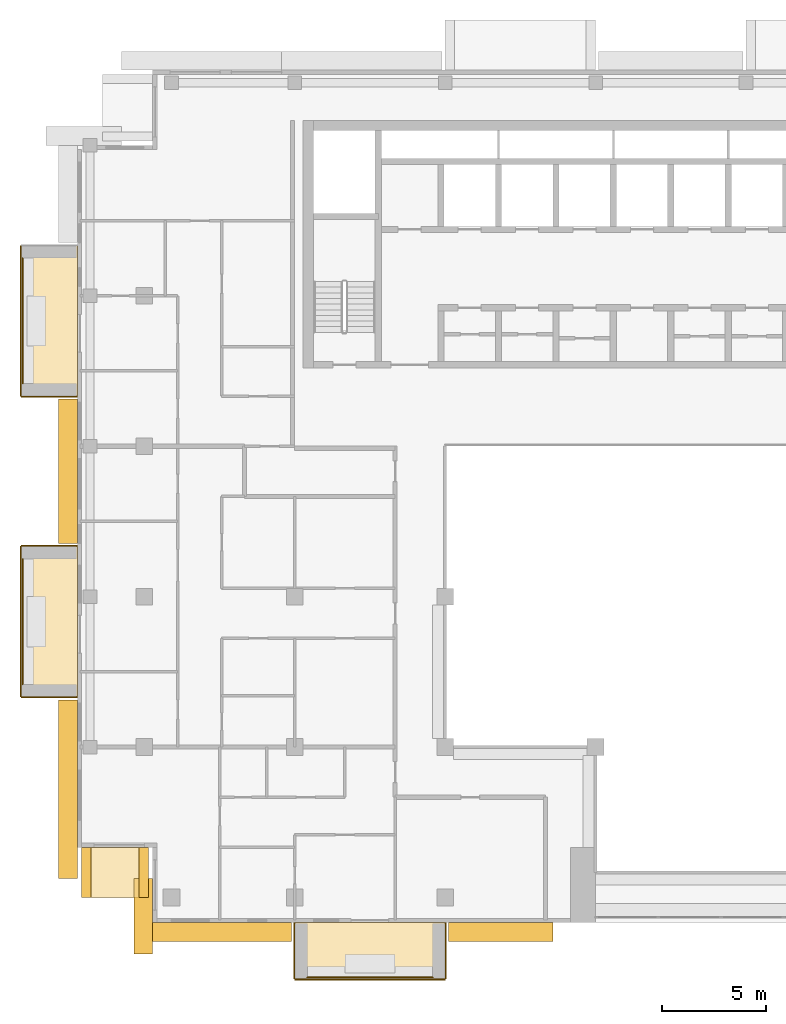
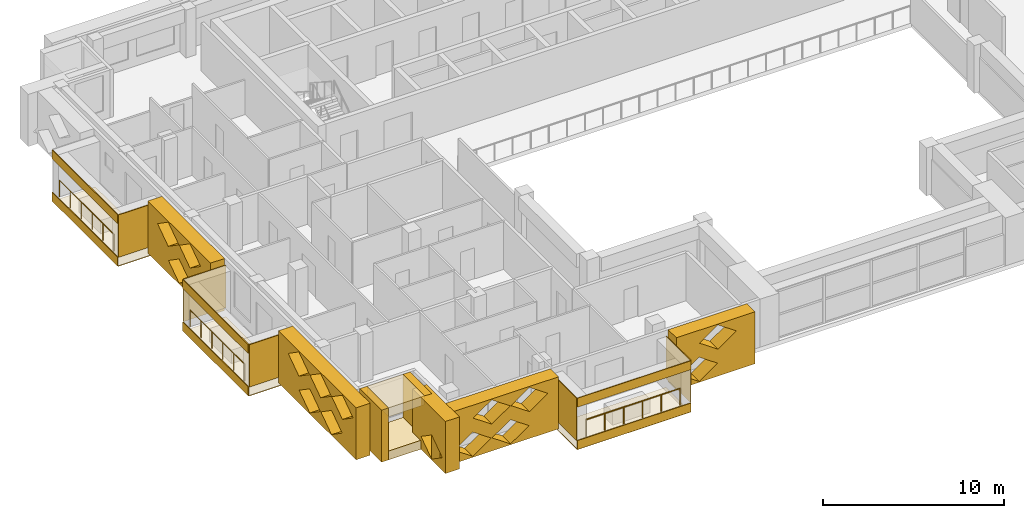
# One storey, part 13 of 19: 23 coverings, 3 railings.
"""IFC4 building model written with IfcOpenShell, lengths in metres."""

from ifc_helpers import new_model, si_unit, direction, frame, origin, origin_2d, place, context, subcontext, project, spatial, polyline, circle, outline, extrude, material, layer, layer_set, type_object, element, save


model = new_model("IFC4")

# Units and contexts
model_context = context("Model", 3, precision=1e-05, world=origin(), true_north=direction((0.0, 1.0)))
body_context = subcontext(model_context, "Body", "Model", "MODEL_VIEW")
ifc_project = project(units=[si_unit("LENGTHUNIT", "METRE"), si_unit("AREAUNIT", "SQUARE_METRE"), si_unit("VOLUMEUNIT", "CUBIC_METRE"), si_unit("PLANEANGLEUNIT", "RADIAN"), si_unit("MASSUNIT", "GRAM", prefix="KILO")], contexts=[model_context])

# Site, building, storey
site_placement = place(None, origin())
site = spatial("IfcSite", under=ifc_project, at=site_placement, CompositionType="ELEMENT")
building_placement = place(site_placement, origin())
building = spatial("IfcBuilding", under=site, at=building_placement, Name="Saffron Iwan Residences", CompositionType="ELEMENT")
storey_placement = place(building_placement, frame((0.0, 0.0, 243.0)))
storey = spatial("IfcBuildingStorey", under=building, at=storey_placement, Name="L65", CompositionType="ELEMENT", Elevation=243.0)

# Railings
ifc_material_1 = material(Name="Stainless steel 316", Category="steel")
railing_type = type_object("IfcRailingType", Name="BALCONY GUARD 1150", PredefinedType="GUARDRAIL", material=ifc_material_1)
for number, where, name in (
    (1, (15.77490234375, 71.39990234375, 0.0), "Balcony guard L65 F8-0"),
    (2, (15.77490234375, 57.0, 0.0), "Balcony guard L65 F8-1"),
):
    element("IfcRailing", number, at=place(storey_placement, frame(where)), inside=storey, type_object=railing_type, Name=name, PredefinedType="GUARDRAIL", context=body_context, shape_type="SweptSolid", body=[
        extrude(circle(Radius=0.02392578125, at=origin_2d()), frame((0.0, 0.0, 1.1259765625), z_axis=(0.0, -1.0, 0.0), x_axis=(1.0, 0.0, 0.0)), (0.0, 0.0, 1.0), 6.0),
        extrude(circle(Radius=0.02099609375, at=origin_2d()), origin(), (0.0, 0.0, 1.0), 1.101806640625),
        extrude(circle(Radius=0.02099609375, at=origin_2d()), frame((0.0, -1.199951171875, 0.0)), (0.0, 0.0, 1.0), 1.101806640625),
        extrude(circle(Radius=0.02099609375, at=origin_2d()), frame((0.0, -2.39990234375, 0.0)), (0.0, 0.0, 1.0), 1.101806640625),
        extrude(circle(Radius=0.02099609375, at=origin_2d()), frame((0.0, -3.60009765625, 0.0)), (0.0, 0.0, 1.0), 1.101806640625),
        extrude(circle(Radius=0.02099609375, at=origin_2d()), frame((0.0, -4.800048828125, 0.0)), (0.0, 0.0, 1.0), 1.101806640625),
        extrude(circle(Radius=0.02099609375, at=origin_2d()), frame((0.0, -6.0, 0.0)), (0.0, 0.0, 1.0), 1.101806640625),
    ])
railing_placement = place(storey_placement, frame((29.39990234375, 36.97509765625, 0.0)))
element("IfcRailing", 3, at=railing_placement, inside=storey, type_object=railing_type, Name="Balcony guard L65 11-0", PredefinedType="GUARDRAIL", context=body_context, shape_type="SweptSolid", body=[
    extrude(circle(Radius=0.02392578125, at=origin_2d()), frame((0.0, 0.0, 1.1259765625), z_axis=(1.0, 0.0, 0.0), x_axis=(0.0, 1.0, 0.0)), (0.0, 0.0, 1.0), 6.0),
    extrude(circle(Radius=0.02099609375, at=origin_2d()), origin(), (0.0, 0.0, 1.0), 1.101806640625),
    extrude(circle(Radius=0.02099609375, at=origin_2d()), frame((1.199951171875, 0.0, 0.0)), (0.0, 0.0, 1.0), 1.101806640625),
    extrude(circle(Radius=0.02099609375, at=origin_2d()), frame((2.39990234375, 0.0, 0.0)), (0.0, 0.0, 1.0), 1.101806640625),
    extrude(circle(Radius=0.02099609375, at=origin_2d()), frame((3.60009765625, 0.0, 0.0)), (0.0, 0.0, 1.0), 1.101806640625),
    extrude(circle(Radius=0.02099609375, at=origin_2d()), frame((4.800048828125, 0.0, 0.0)), (0.0, 0.0, 1.0), 1.101806640625),
    extrude(circle(Radius=0.02099609375, at=origin_2d()), frame((6.0, 0.0, 0.0)), (0.0, 0.0, 1.0), 1.101806640625),
])

# Coverings
ifc_material_2 = material(Name="Precast concrete C40/50 white painted", Category="concrete")
ifc_layer = layer(ifc_material_2, 0.050048828125)
ifc_layer_set = layer_set([ifc_layer], Name="Precast concrete C40/50 white painted")
covering_type_1 = type_object("IfcCoveringType", Name="FRAME SKIN PRECAST WHITE 50", PredefinedType="CLADDING", material=ifc_layer_set)
for number, where, name in (
    (4, (0.0, 0.0, -0.60009765625), "Frame skin slab edge L65 F8-0"),
    (5, (0.0, 0.0, 2.25), "Frame skin fascia L65 F8-0"),
):
    element("IfcCovering", number, at=place(storey_placement, frame(where)), inside=storey, type_object=covering_type_1, Name=name, PredefinedType="CLADDING", context=body_context, shape_type="SweptSolid", body=[
        extrude(outline(polyline([(15.64990234375, 72.0), (15.64990234375, 64.800048828125), (15.699951171875, 64.800048828125), (15.699951171875, 72.0), (15.64990234375, 72.0)])), origin(), (0.0, 0.0, 1.0), 0.60009765625),
    ])
covering_1_placement = place(storey_placement, frame((0.0, 0.0, -0.64990234375)))
element("IfcCovering", 6, at=covering_1_placement, inside=storey, type_object=covering_type_1, Name="Frame skin soffit L65 F8-0", PredefinedType="CLADDING", context=body_context, shape_type="SweptSolid", body=[
    extrude(outline(polyline([(15.699951171875, 72.0), (15.699951171875, 64.800048828125), (18.39990234375, 64.800048828125), (18.39990234375, 72.0), (15.699951171875, 72.0)])), origin(), (0.0, 0.0, 1.0), 0.0498046875),
])
covering_2_placement = place(storey_placement, origin())
element("IfcCovering", 7, at=covering_2_placement, inside=storey, type_object=covering_type_1, Name="Frame skin fin L65 F8-0b", PredefinedType="CLADDING", context=body_context, shape_type="SweptSolid", body=[
    extrude(outline(polyline([(15.699951171875, 64.800048828125), (15.699951171875, 64.75), (18.39990234375, 64.75), (18.39990234375, 64.800048828125), (15.699951171875, 64.800048828125)])), origin(), (0.0, 0.0, 1.0), 2.85009765625),
])
for number, where, name in (
    (8, (0.0, 0.0, -0.60009765625), "Frame skin slab edge L65 F8-1"),
    (9, (0.0, 0.0, 2.25), "Frame skin fascia L65 F8-1"),
):
    element("IfcCovering", number, at=place(storey_placement, frame(where)), inside=storey, type_object=covering_type_1, Name=name, PredefinedType="CLADDING", context=body_context, shape_type="SweptSolid", body=[
        extrude(outline(polyline([(15.64990234375, 57.60009765625), (15.64990234375, 50.39990234375), (15.699951171875, 50.39990234375), (15.699951171875, 57.60009765625), (15.64990234375, 57.60009765625)])), origin(), (0.0, 0.0, 1.0), 0.60009765625),
    ])
covering_3_placement = place(storey_placement, frame((0.0, 0.0, -0.64990234375)))
element("IfcCovering", 10, at=covering_3_placement, inside=storey, type_object=covering_type_1, Name="Frame skin soffit L65 F8-1", PredefinedType="CLADDING", context=body_context, shape_type="SweptSolid", body=[
    extrude(outline(polyline([(15.699951171875, 57.60009765625), (15.699951171875, 50.39990234375), (18.39990234375, 50.39990234375), (18.39990234375, 57.60009765625), (15.699951171875, 57.60009765625)])), origin(), (0.0, 0.0, 1.0), 0.0498046875),
])
covering_4_placement = place(storey_placement, origin())
element("IfcCovering", 11, at=covering_4_placement, inside=storey, type_object=covering_type_1, Name="Frame skin fin L65 F8-1a", PredefinedType="CLADDING", context=body_context, shape_type="SweptSolid", body=[
    extrude(outline(polyline([(15.699951171875, 57.64990234375), (15.699951171875, 57.60009765625), (18.39990234375, 57.60009765625), (18.39990234375, 57.64990234375), (15.699951171875, 57.64990234375)])), origin(), (0.0, 0.0, 1.0), 2.85009765625),
])
covering_5_placement = place(storey_placement, origin())
element("IfcCovering", 12, at=covering_5_placement, inside=storey, type_object=covering_type_1, Name="Frame skin fin L65 F8-1b", PredefinedType="CLADDING", context=body_context, shape_type="SweptSolid", body=[
    extrude(outline(polyline([(15.699951171875, 50.39990234375), (15.699951171875, 50.35009765625), (18.39990234375, 50.35009765625), (18.39990234375, 50.39990234375), (15.699951171875, 50.39990234375)])), origin(), (0.0, 0.0, 1.0), 2.85009765625),
])
for number, where, name in (
    (13, (0.0, 0.0, -0.60009765625), "Frame skin slab edge L65 11-0"),
    (14, (0.0, 0.0, 2.25), "Frame skin fascia L65 11-0"),
):
    element("IfcCovering", number, at=place(storey_placement, frame(where)), inside=storey, type_object=covering_type_1, Name=name, PredefinedType="CLADDING", context=body_context, shape_type="SweptSolid", body=[
        extrude(outline(polyline([(28.800048828125, 36.85009765625), (36.0, 36.85009765625), (36.0, 36.89990234375), (28.800048828125, 36.89990234375), (28.800048828125, 36.85009765625)])), origin(), (0.0, 0.0, 1.0), 0.60009765625),
    ])
covering_6_placement = place(storey_placement, frame((0.0, 0.0, -0.64990234375)))
element("IfcCovering", 15, at=covering_6_placement, inside=storey, type_object=covering_type_1, Name="Frame skin soffit L65 11-0", PredefinedType="CLADDING", context=body_context, shape_type="SweptSolid", body=[
    extrude(outline(polyline([(28.800048828125, 36.89990234375), (36.0, 36.89990234375), (36.0, 39.60009765625), (28.800048828125, 39.60009765625), (28.800048828125, 36.89990234375)])), origin(), (0.0, 0.0, 1.0), 0.0498046875),
])
covering_7_placement = place(storey_placement, origin())
element("IfcCovering", 16, at=covering_7_placement, inside=storey, type_object=covering_type_1, Name="Frame skin fin L65 11-0a", PredefinedType="CLADDING", context=body_context, shape_type="SweptSolid", body=[
    extrude(outline(polyline([(28.75, 36.89990234375), (28.800048828125, 36.89990234375), (28.800048828125, 39.60009765625), (28.75, 39.60009765625), (28.75, 36.89990234375)])), origin(), (0.0, 0.0, 1.0), 2.85009765625),
])
covering_8_placement = place(storey_placement, origin())
element("IfcCovering", 17, at=covering_8_placement, inside=storey, type_object=covering_type_1, Name="Frame skin fin L65 11-0b", PredefinedType="CLADDING", context=body_context, shape_type="SweptSolid", body=[
    extrude(outline(polyline([(36.0, 36.89990234375), (36.050048828125, 36.89990234375), (36.050048828125, 39.60009765625), (36.0, 39.60009765625), (36.0, 36.89990234375)])), origin(), (0.0, 0.0, 1.0), 2.85009765625),
])
ifc_material_3 = material(Name="Precast concrete C40/50", Category="concrete")
covering_type_2 = type_object("IfcCoveringType", Name="OUTER SKIN LATTICE SCREEN", PredefinedType="CLADDING", material=ifc_material_3)
covering_9_placement = place(storey_placement, frame((18.39990234375, 64.64990234375, -0.280029296875), z_axis=(-1.0, 0.0, 0.0), x_axis=(0.0, -1.0, 0.0)))
element("IfcCovering", 18, at=covering_9_placement, inside=storey, type_object=covering_type_2, Name="OUTER SKIN lattice screen L65 F8.1", PredefinedType="CLADDING", context=body_context, shape_type="SweptSolid", body=[
    extrude(outline(polyline([(0.0, 0.0), (6.89990234375, 0.0), (6.89990234375, 3.5), (0.0, 3.5), (0.0, 0.0)]), holes=[polyline([(2.27001953125, 0.875), (3.449951171875, 0.06005859375), (4.6298828125, 0.875), (3.449951171875, 1.68994140625), (2.27001953125, 0.875)]), polyline([(1.070068359375, 2.625), (2.25, 1.81005859375), (3.429931640625, 2.625), (2.25, 3.43994140625), (1.070068359375, 2.625)]), polyline([(3.469970703125, 2.625), (4.64990234375, 1.81005859375), (5.830078125, 2.625), (4.64990234375, 3.43994140625), (3.469970703125, 2.625)])]), origin(), (0.0, 0.0, 1.0), 0.89990234375),
])
covering_10_placement = place(storey_placement, frame((18.39990234375, 50.25, -0.280029296875), z_axis=(-1.0, 0.0, 0.0), x_axis=(0.0, -1.0, 0.0)))
element("IfcCovering", 19, at=covering_10_placement, inside=storey, type_object=covering_type_2, Name="OUTER SKIN lattice screen L65 F8.2", PredefinedType="CLADDING", context=body_context, shape_type="SweptSolid", body=[
    extrude(outline(polyline([(0.0, 0.0), (8.550048828125, 0.0), (8.550048828125, 3.5), (0.0, 3.5), (0.0, 0.0)]), holes=[polyline([(2.27001953125, 0.875), (3.449951171875, 0.06005859375), (4.6298828125, 0.875), (3.449951171875, 1.68994140625), (2.27001953125, 0.875)]), polyline([(4.669921875, 0.875), (5.85009765625, 0.06005859375), (7.030029296875, 0.875), (5.85009765625, 1.68994140625), (4.669921875, 0.875)]), polyline([(1.070068359375, 2.625), (2.25, 1.81005859375), (3.429931640625, 2.625), (2.25, 3.43994140625), (1.070068359375, 2.625)]), polyline([(3.469970703125, 2.625), (4.64990234375, 1.81005859375), (5.830078125, 2.625), (4.64990234375, 3.43994140625), (3.469970703125, 2.625)]), polyline([(5.8701171875, 2.625), (7.050048828125, 1.81005859375), (8.22998046875, 2.625), (7.050048828125, 3.43994140625), (5.8701171875, 2.625)])]), origin(), (0.0, 0.0, 1.0), 0.89990234375),
])
covering_11_placement = place(storey_placement, frame((22.0, 41.699951171875, -0.280029296875), z_axis=(-1.0, 0.0, 0.0), x_axis=(0.0, -1.0, 0.0)))
element("IfcCovering", 20, at=covering_11_placement, inside=storey, type_object=covering_type_2, Name="OUTER SKIN lattice screen L65 F10.0", PredefinedType="CLADDING", context=body_context, shape_type="SweptSolid", body=[
    extrude(outline(polyline([(0.0, 0.0), (3.60009765625, 0.0), (3.60009765625, 3.5), (0.0, 3.5), (0.0, 0.0)]), holes=[polyline([(0.919921875, 0.875), (2.10009765625, 0.06005859375), (3.280029296875, 0.875), (2.10009765625, 1.68994140625), (0.919921875, 0.875)])]), origin(), (0.0, 0.0, 1.0), 0.89990234375),
])
covering_12_placement = place(storey_placement, frame((21.10009765625, 39.60009765625, -0.280029296875), z_axis=(0.0, -1.0, 0.0), x_axis=(1.0, 0.0, 0.0)))
element("IfcCovering", 21, at=covering_12_placement, inside=storey, type_object=covering_type_2, Name="OUTER SKIN lattice screen L65 F11.0", PredefinedType="CLADDING", context=body_context, shape_type="SweptSolid", body=[
    extrude(outline(polyline([(0.0, 0.0), (7.550048828125, 0.0), (7.550048828125, 3.5), (0.0, 3.5), (0.0, 0.0)]), holes=[polyline([(0.919921875, 0.875), (2.10009765625, 0.06005859375), (3.280029296875, 0.875), (2.10009765625, 1.68994140625), (0.919921875, 0.875)]), polyline([(3.320068359375, 0.875), (4.5, 0.06005859375), (5.679931640625, 0.875), (4.5, 1.68994140625), (3.320068359375, 0.875)]), polyline([(2.1201171875, 2.625), (3.300048828125, 1.81005859375), (4.47998046875, 2.625), (3.300048828125, 3.43994140625), (2.1201171875, 2.625)]), polyline([(4.52001953125, 2.625), (5.699951171875, 1.81005859375), (6.8798828125, 2.625), (5.699951171875, 3.43994140625), (4.52001953125, 2.625)])]), origin(), (0.0, 0.0, 1.0), 0.900146484375),
])
covering_13_placement = place(storey_placement, frame((36.14990234375, 39.60009765625, -0.280029296875), z_axis=(0.0, -1.0, 0.0), x_axis=(1.0, 0.0, 0.0)))
element("IfcCovering", 22, at=covering_13_placement, inside=storey, type_object=covering_type_2, Name="OUTER SKIN lattice screen L65 F11.1", PredefinedType="CLADDING", context=body_context, shape_type="SweptSolid", body=[
    extrude(outline(polyline([(0.0, 0.0), (5.0, 0.0), (5.0, 3.5), (0.0, 3.5), (0.0, 0.0)]), holes=[polyline([(0.27001953125, 0.875), (1.449951171875, 0.06005859375), (2.6298828125, 0.875), (1.449951171875, 1.68994140625), (0.27001953125, 0.875)]), polyline([(1.469970703125, 2.625), (2.64990234375, 1.81005859375), (3.830078125, 2.625), (2.64990234375, 3.43994140625), (1.469970703125, 2.625)])]), origin(), (0.0, 0.0, 1.0), 0.900146484375),
])
covering_type_3 = type_object("IfcCoveringType", Name="WHITE SUN FRAME PRECAST", PredefinedType="CLADDING", material=ifc_material_2)
for number, where, z_axis, x_axis, name in (
    (23, (18.60009765625, 43.199951171875, -0.280029296875), (0.0, -1.0, 0.0), (1.0, 0.0, 0.0), "Sun frame L65 F9 0.2a"),
    (24, (21.35009765625, 43.199951171875, -0.280029296875), (0.0, -1.0, 0.0), (1.0, 0.0, 0.0), "Sun frame L65 F9 0.2b"),
):
    element("IfcCovering", number, at=place(storey_placement, frame(where, z_axis=z_axis, x_axis=x_axis)), inside=storey, type_object=covering_type_3, Name=name, PredefinedType="CLADDING", context=body_context, shape_type="SweptSolid", body=[
        extrude(outline(polyline([(0.0, 0.0), (0.449951171875, 0.0), (0.449951171875, 3.5), (0.0, 3.5), (0.0, 0.0)])), origin(), (0.0, 0.0, 1.0), 2.39990234375),
    ])
for number, where, z_axis, x_axis, name in (
    (25, (19.050048828125, 43.199951171875, 2.6201171875), (0.0, -1.0, 0.0), (1.0, 0.0, 0.0), "Sun frame L65 F9 0.2h"),
    (26, (19.050048828125, 43.199951171875, -0.280029296875), (0.0, -1.0, 0.0), (1.0, 0.0, 0.0), "Sun frame L65 F9 0.2s"),
):
    element("IfcCovering", number, at=place(storey_placement, frame(where, z_axis=z_axis, x_axis=x_axis)), inside=storey, type_object=covering_type_3, Name=name, PredefinedType="CLADDING", context=body_context, shape_type="SweptSolid", body=[
        extrude(outline(polyline([(0.0, 0.0), (2.300048828125, 0.0), (2.300048828125, 0.60009765625), (0.0, 0.60009765625), (0.0, 0.0)])), origin(), (0.0, 0.0, 1.0), 2.39990234375),
    ])

save(model, "model.ifc")
